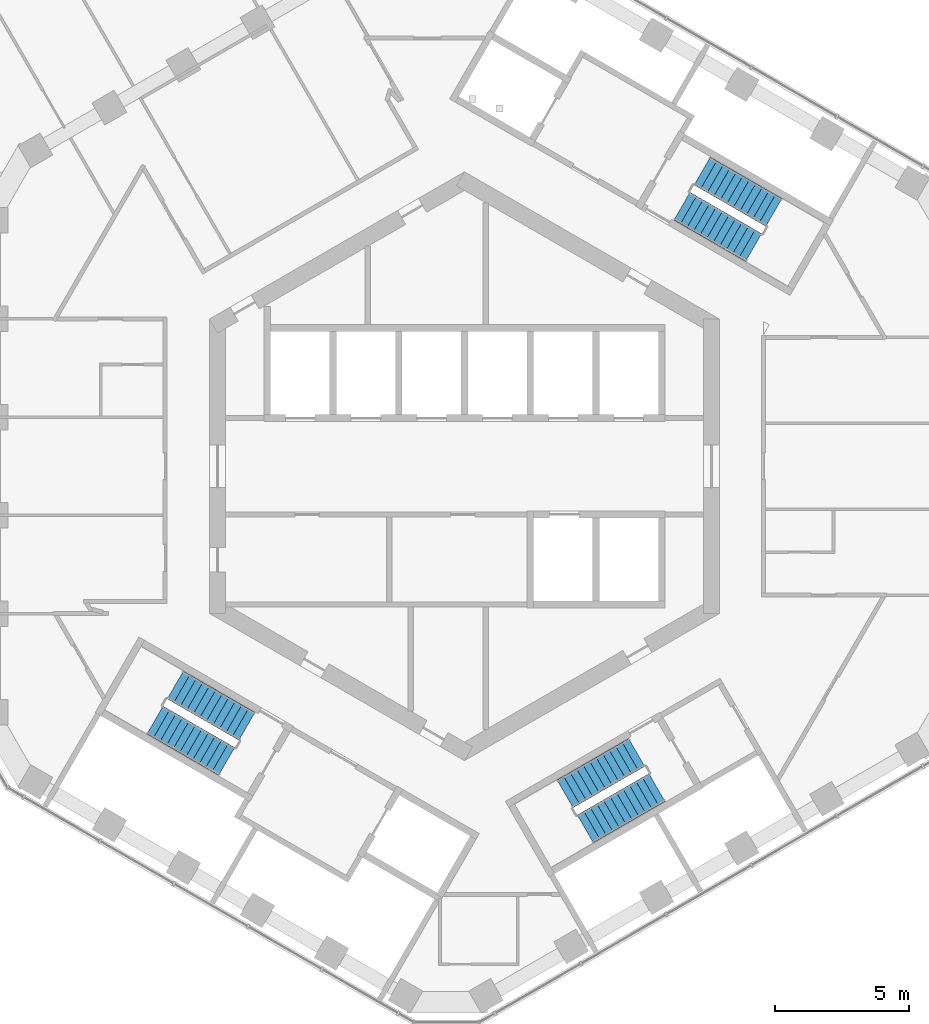
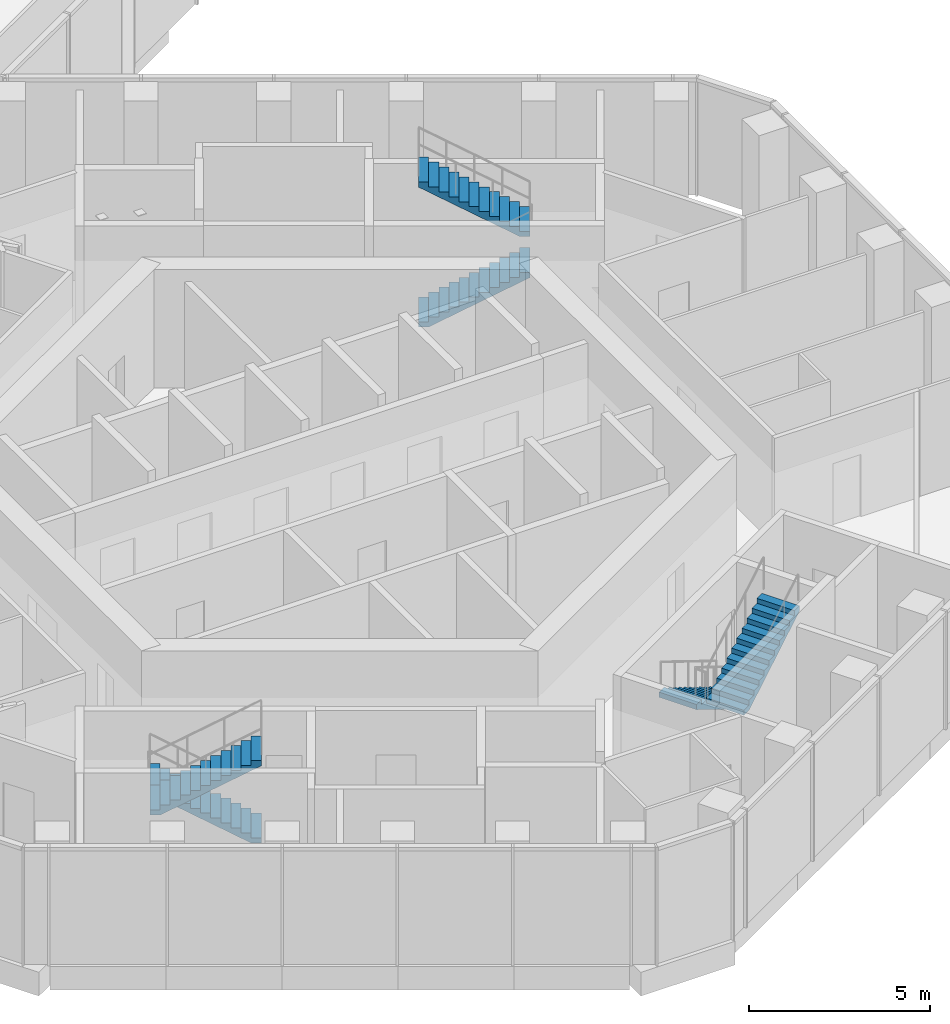
# One storey, part 19 of 21: 6 stair flights, 3 elements without a shape of their own.
"""IFC4 building model written with IfcOpenShell, lengths in metres."""

from ifc_helpers import new_model, si_unit, direction, frame, origin, place, context, subcontext, project, spatial, triangles, material, type_object, element, aggregate, save


model = new_model("IFC4")

# Units and contexts
model_context = context("Model", 3, precision=1e-05, world=origin(), true_north=direction((0.0, 1.0)))
body_context = subcontext(model_context, "Body", "Model", "MODEL_VIEW")
ifc_project = project(units=[si_unit("LENGTHUNIT", "METRE"), si_unit("AREAUNIT", "SQUARE_METRE"), si_unit("VOLUMEUNIT", "CUBIC_METRE"), si_unit("PLANEANGLEUNIT", "RADIAN"), si_unit("MASSUNIT", "GRAM", prefix="KILO")], contexts=[model_context])

# Site, building, storey
site_placement = place(None, origin())
site = spatial("IfcSite", under=ifc_project, at=site_placement, CompositionType="ELEMENT")
building_placement = place(site_placement, origin())
building = spatial("IfcBuilding", under=site, at=building_placement, Name="Ayvan Gate Tower", CompositionType="ELEMENT")
storey_placement = place(building_placement, frame((0.0, 0.0, 190.699951171875)))
storey = spatial("IfcBuildingStorey", under=building, at=storey_placement, Name="L51", CompositionType="ELEMENT", Elevation=190.699951171875)

# Stair, stair flights
ifc_material = material(Name="Concrete C40/50", Category="concrete")
stair_type = type_object("IfcStairType", Name="ST-EXIT", PredefinedType="HALF_TURN_STAIR", material=ifc_material)
stair_1_placement = place(storey_placement, origin())
stair_1 = element("IfcStair", 1, at=stair_1_placement, inside=storey, type_object=stair_type, Name="L51 Exit Stair S1", PredefinedType="HALF_TURN_STAIR")
stair_flight_type = type_object("IfcStairFlightType", Name="SFL-EXIT", PredefinedType="STRAIGHT", material=ifc_material)
stair_flight_1_placement = place(storey_placement, frame((8.106201171875, 9.690185546875, 0.0), z_axis=(0.0, 0.0, 1.0), x_axis=(0.866025403784, -0.5, 0.0)))
stair_flight_1 = element("IfcStairFlight", 2, at=stair_flight_1_placement, type_object=stair_flight_type, Name="STS1 flight 1", NumberOfRisers=12, NumberOfTreads=11, PredefinedType="STRAIGHT", RiserHeight=0.166666667, TreadLength=0.28, context=body_context, shape_type="Tessellation", body=[
    triangles([(0.293073, -0.599976, 0.0), (3.0805, -0.599976, 1.659182), (3.0805, -0.599976, 1.833333), (2.8, -0.599976, 1.833333), (2.8, -0.599976, 1.666667), (2.52, -0.599976, 1.666667), (2.52, -0.599976, 1.5), (2.24, -0.599976, 1.5), (2.24, -0.599976, 1.333333), (1.96, -0.599976, 1.333333), (1.96, -0.599976, 1.166667), (1.68, -0.599976, 1.166667), (1.68, -0.599976, 1.0), (1.4, -0.599976, 1.0), (1.4, -0.599976, 0.833333), (1.12, -0.599976, 0.833333), (1.12, -0.599976, 0.666667), (0.84, -0.599976, 0.666667), (0.84, -0.599976, 0.5), (0.56, -0.599976, 0.5), (0.56, -0.599976, 0.333333), (0.28, -0.599976, 0.333333), (0.28, -0.599976, 0.166667), (-0.0005, -0.599976, 0.166667), (-0.0005, -0.599976, 0.0), (0.293073, 0.0, 0.0), (3.0805, 0.0, 1.659182), (3.0805, 0.0, 1.833333), (2.8, 0.0, 1.833333), (2.8, 0.0, 1.666667), (2.52, 0.0, 1.666667), (2.52, 0.0, 1.5), (2.24, 0.0, 1.5), (2.24, 0.0, 1.333333), (1.96, 0.0, 1.333333), (1.96, 0.0, 1.166667), (1.68, 0.0, 1.166667), (1.68, 0.0, 1.0), (1.4, 0.0, 1.0), (1.4, 0.0, 0.833333), (1.12, 0.0, 0.833333), (1.12, 0.0, 0.666667), (0.84, 0.0, 0.666667), (0.84, 0.0, 0.5), (0.56, 0.0, 0.5), (0.56, 0.0, 0.333333), (0.28, 0.0, 0.333333), (0.28, 0.0, 0.166667), (-0.0005, 0.0, 0.166667), (-0.0005, 0.0, 0.0), (0.293073, 0.599976, 0.0), (3.0805, 0.599976, 1.659182), (3.0805, 0.599976, 1.833333), (2.8, 0.599976, 1.833333), (2.8, 0.599976, 1.666667), (2.52, 0.599976, 1.666667), (2.52, 0.599976, 1.5), (2.24, 0.599976, 1.5), (2.24, 0.599976, 1.333333), (1.96, 0.599976, 1.333333), (1.96, 0.599976, 1.166667), (1.68, 0.599976, 1.166667), (1.68, 0.599976, 1.0), (1.4, 0.599976, 1.0), (1.4, 0.599976, 0.833333), (1.12, 0.599976, 0.833333), (1.12, 0.599976, 0.666667), (0.84, 0.599976, 0.666667), (0.84, 0.599976, 0.5), (0.56, 0.599976, 0.5), (0.56, 0.599976, 0.333333), (0.28, 0.599976, 0.333333), (0.28, 0.599976, 0.166667), (-0.0005, 0.599976, 0.166667), (-0.0005, 0.599976, 0.0)], [[25, 1, 2], [75, 52, 51], [2, 3, 4], [52, 54, 53], [2, 4, 5], [52, 55, 54], [2, 5, 6], [52, 56, 55], [2, 6, 7], [52, 57, 56], [7, 8, 9], [57, 59, 58], [2, 7, 9], [52, 59, 57], [9, 10, 11], [59, 61, 60], [2, 9, 11], [52, 61, 59], [11, 12, 13], [61, 63, 62], [2, 11, 13], [52, 63, 61], [13, 14, 15], [63, 65, 64], [2, 13, 15], [52, 65, 63], [15, 16, 17], [65, 67, 66], [2, 15, 17], [52, 67, 65], [17, 18, 19], [67, 69, 68], [2, 17, 19], [52, 69, 67], [19, 20, 21], [69, 71, 70], [2, 19, 21], [52, 71, 69], [21, 22, 23], [71, 73, 72], [2, 21, 23], [52, 73, 71], [25, 2, 23], [75, 73, 52], [23, 24, 25], [73, 75, 74], [1, 26, 27], [1, 27, 2], [51, 27, 26], [51, 52, 27], [2, 27, 28], [2, 28, 3], [52, 28, 27], [52, 53, 28], [3, 28, 29], [3, 29, 4], [53, 29, 28], [53, 54, 29], [4, 29, 30], [4, 30, 5], [54, 30, 29], [54, 55, 30], [5, 30, 31], [5, 31, 6], [55, 31, 30], [55, 56, 31], [6, 31, 32], [6, 32, 7], [56, 32, 31], [56, 57, 32], [7, 32, 33], [7, 33, 8], [57, 33, 32], [57, 58, 33], [8, 33, 34], [8, 34, 9], [58, 34, 33], [58, 59, 34], [9, 34, 35], [9, 35, 10], [59, 35, 34], [59, 60, 35], [10, 35, 36], [10, 36, 11], [60, 36, 35], [60, 61, 36], [11, 36, 37], [11, 37, 12], [61, 37, 36], [61, 62, 37], [12, 37, 38], [12, 38, 13], [62, 38, 37], [62, 63, 38], [13, 38, 39], [13, 39, 14], [63, 39, 38], [63, 64, 39], [14, 39, 40], [14, 40, 15], [64, 40, 39], [64, 65, 40], [15, 40, 41], [15, 41, 16], [65, 41, 40], [65, 66, 41], [16, 41, 42], [16, 42, 17], [66, 42, 41], [66, 67, 42], [17, 42, 43], [17, 43, 18], [67, 43, 42], [67, 68, 43], [18, 43, 44], [18, 44, 19], [68, 44, 43], [68, 69, 44], [19, 44, 45], [19, 45, 20], [69, 45, 44], [69, 70, 45], [20, 45, 46], [20, 46, 21], [70, 46, 45], [70, 71, 46], [21, 46, 47], [21, 47, 22], [71, 47, 46], [71, 72, 47], [22, 47, 48], [22, 48, 23], [72, 48, 47], [72, 73, 48], [23, 48, 49], [23, 49, 24], [73, 49, 48], [73, 74, 49], [24, 49, 50], [24, 50, 25], [74, 50, 49], [74, 75, 50], [25, 50, 26], [25, 26, 1], [75, 26, 50], [75, 51, 26]], closed=True),
])
stair_flight_2_placement = place(storey_placement, frame((11.528564453125, 9.457763671875, 2.0), z_axis=(0.0, 0.0, 1.0), x_axis=(-0.866025403784, 0.5, 0.0)))
stair_flight_2 = element("IfcStairFlight", 3, at=stair_flight_2_placement, type_object=stair_flight_type, Name="STS1 flight 2", NumberOfRisers=12, NumberOfTreads=11, PredefinedType="STRAIGHT", RiserHeight=0.166666667, TreadLength=0.28, context=body_context, shape_type="Tessellation", body=[
    triangles([(0.293073, -0.599976, 0.0), (3.0805, -0.599976, 1.659182), (3.0805, -0.599976, 1.833333), (2.8, -0.599976, 1.833333), (2.8, -0.599976, 1.666667), (2.52, -0.599976, 1.666667), (2.52, -0.599976, 1.5), (2.24, -0.599976, 1.5), (2.24, -0.599976, 1.333333), (1.96, -0.599976, 1.333333), (1.96, -0.599976, 1.166667), (1.68, -0.599976, 1.166667), (1.68, -0.599976, 1.0), (1.4, -0.599976, 1.0), (1.4, -0.599976, 0.833333), (1.12, -0.599976, 0.833333), (1.12, -0.599976, 0.666667), (0.84, -0.599976, 0.666667), (0.84, -0.599976, 0.5), (0.56, -0.599976, 0.5), (0.56, -0.599976, 0.333333), (0.28, -0.599976, 0.333333), (0.28, -0.599976, 0.166667), (-0.0005, -0.599976, 0.166667), (-0.0005, -0.599976, 0.0), (0.293073, 0.0, 0.0), (3.0805, 0.0, 1.659182), (3.0805, 0.0, 1.833333), (2.8, 0.0, 1.833333), (2.8, 0.0, 1.666667), (2.52, 0.0, 1.666667), (2.52, 0.0, 1.5), (2.24, 0.0, 1.5), (2.24, 0.0, 1.333333), (1.96, 0.0, 1.333333), (1.96, 0.0, 1.166667), (1.68, 0.0, 1.166667), (1.68, 0.0, 1.0), (1.4, 0.0, 1.0), (1.4, 0.0, 0.833333), (1.12, 0.0, 0.833333), (1.12, 0.0, 0.666667), (0.84, 0.0, 0.666667), (0.84, 0.0, 0.5), (0.56, 0.0, 0.5), (0.56, 0.0, 0.333333), (0.28, 0.0, 0.333333), (0.28, 0.0, 0.166667), (-0.0005, 0.0, 0.166667), (-0.0005, 0.0, 0.0), (0.293073, 0.599976, 0.0), (3.0805, 0.599976, 1.659182), (3.0805, 0.599976, 1.833333), (2.8, 0.599976, 1.833333), (2.8, 0.599976, 1.666667), (2.52, 0.599976, 1.666667), (2.52, 0.599976, 1.5), (2.24, 0.599976, 1.5), (2.24, 0.599976, 1.333333), (1.96, 0.599976, 1.333333), (1.96, 0.599976, 1.166667), (1.68, 0.599976, 1.166667), (1.68, 0.599976, 1.0), (1.4, 0.599976, 1.0), (1.4, 0.599976, 0.833333), (1.12, 0.599976, 0.833333), (1.12, 0.599976, 0.666667), (0.84, 0.599976, 0.666667), (0.84, 0.599976, 0.5), (0.56, 0.599976, 0.5), (0.56, 0.599976, 0.333333), (0.28, 0.599976, 0.333333), (0.28, 0.599976, 0.166667), (-0.0005, 0.599976, 0.166667), (-0.0005, 0.599976, 0.0)], [[25, 1, 2], [75, 52, 51], [2, 3, 4], [52, 54, 53], [2, 4, 5], [52, 55, 54], [2, 5, 6], [52, 56, 55], [2, 6, 7], [52, 57, 56], [7, 8, 9], [57, 59, 58], [2, 7, 9], [52, 59, 57], [9, 10, 11], [59, 61, 60], [2, 9, 11], [52, 61, 59], [11, 12, 13], [61, 63, 62], [2, 11, 13], [52, 63, 61], [13, 14, 15], [63, 65, 64], [2, 13, 15], [52, 65, 63], [15, 16, 17], [65, 67, 66], [2, 15, 17], [52, 67, 65], [17, 18, 19], [67, 69, 68], [2, 17, 19], [52, 69, 67], [19, 20, 21], [69, 71, 70], [2, 19, 21], [52, 71, 69], [21, 22, 23], [71, 73, 72], [2, 21, 23], [52, 73, 71], [25, 2, 23], [75, 73, 52], [23, 24, 25], [73, 75, 74], [1, 26, 27], [1, 27, 2], [51, 27, 26], [51, 52, 27], [2, 27, 28], [2, 28, 3], [52, 28, 27], [52, 53, 28], [3, 28, 29], [3, 29, 4], [53, 29, 28], [53, 54, 29], [4, 29, 30], [4, 30, 5], [54, 30, 29], [54, 55, 30], [5, 30, 31], [5, 31, 6], [55, 31, 30], [55, 56, 31], [6, 31, 32], [6, 32, 7], [56, 32, 31], [56, 57, 32], [7, 32, 33], [7, 33, 8], [57, 33, 32], [57, 58, 33], [8, 33, 34], [8, 34, 9], [58, 34, 33], [58, 59, 34], [9, 34, 35], [9, 35, 10], [59, 35, 34], [59, 60, 35], [10, 35, 36], [10, 36, 11], [60, 36, 35], [60, 61, 36], [11, 36, 37], [11, 37, 12], [61, 37, 36], [61, 62, 37], [12, 37, 38], [12, 38, 13], [62, 38, 37], [62, 63, 38], [13, 38, 39], [13, 39, 14], [63, 39, 38], [63, 64, 39], [14, 39, 40], [14, 40, 15], [64, 40, 39], [64, 65, 40], [15, 40, 41], [15, 41, 16], [65, 41, 40], [65, 66, 41], [16, 41, 42], [16, 42, 17], [66, 42, 41], [66, 67, 42], [17, 42, 43], [17, 43, 18], [67, 43, 42], [67, 68, 43], [18, 43, 44], [18, 44, 19], [68, 44, 43], [68, 69, 44], [19, 44, 45], [19, 45, 20], [69, 45, 44], [69, 70, 45], [20, 45, 46], [20, 46, 21], [70, 46, 45], [70, 71, 46], [21, 46, 47], [21, 47, 22], [71, 47, 46], [71, 72, 47], [22, 47, 48], [22, 48, 23], [72, 48, 47], [72, 73, 48], [23, 48, 49], [23, 49, 24], [73, 49, 48], [73, 74, 49], [24, 49, 50], [24, 50, 25], [74, 50, 49], [74, 75, 50], [25, 50, 26], [25, 26, 1], [75, 26, 50], [75, 51, 26]], closed=True),
])
aggregate(stair_1, [stair_flight_1, stair_flight_2])

stair_2_placement = place(storey_placement, origin())
stair_2 = element("IfcStair", 4, at=stair_2_placement, inside=storey, type_object=stair_type, Name="L51 Exit Stair S2", PredefinedType="HALF_TURN_STAIR")
stair_flight_3_placement = place(storey_placement, frame((-8.106201171875, -9.690185546875, 0.0), z_axis=(0.0, 0.0, 1.0), x_axis=(-0.866025403784, 0.5, 0.0)))
stair_flight_3 = element("IfcStairFlight", 5, at=stair_flight_3_placement, type_object=stair_flight_type, Name="STS2 flight 1", NumberOfRisers=12, NumberOfTreads=11, PredefinedType="STRAIGHT", RiserHeight=0.166666667, TreadLength=0.28, context=body_context, shape_type="Tessellation", body=[
    triangles([(0.293073, -0.599976, 0.0), (3.0805, -0.599976, 1.659182), (3.0805, -0.599976, 1.833333), (2.8, -0.599976, 1.833333), (2.8, -0.599976, 1.666667), (2.52, -0.599976, 1.666667), (2.52, -0.599976, 1.5), (2.24, -0.599976, 1.5), (2.24, -0.599976, 1.333333), (1.96, -0.599976, 1.333333), (1.96, -0.599976, 1.166667), (1.68, -0.599976, 1.166667), (1.68, -0.599976, 1.0), (1.4, -0.599976, 1.0), (1.4, -0.599976, 0.833333), (1.12, -0.599976, 0.833333), (1.12, -0.599976, 0.666667), (0.84, -0.599976, 0.666667), (0.84, -0.599976, 0.5), (0.56, -0.599976, 0.5), (0.56, -0.599976, 0.333333), (0.28, -0.599976, 0.333333), (0.28, -0.599976, 0.166667), (-0.0005, -0.599976, 0.166667), (-0.0005, -0.599976, 0.0), (0.293073, 0.0, 0.0), (3.0805, 0.0, 1.659182), (3.0805, 0.0, 1.833333), (2.8, 0.0, 1.833333), (2.8, 0.0, 1.666667), (2.52, 0.0, 1.666667), (2.52, 0.0, 1.5), (2.24, 0.0, 1.5), (2.24, 0.0, 1.333333), (1.96, 0.0, 1.333333), (1.96, 0.0, 1.166667), (1.68, 0.0, 1.166667), (1.68, 0.0, 1.0), (1.4, 0.0, 1.0), (1.4, 0.0, 0.833333), (1.12, 0.0, 0.833333), (1.12, 0.0, 0.666667), (0.84, 0.0, 0.666667), (0.84, 0.0, 0.5), (0.56, 0.0, 0.5), (0.56, 0.0, 0.333333), (0.28, 0.0, 0.333333), (0.28, 0.0, 0.166667), (-0.0005, 0.0, 0.166667), (-0.0005, 0.0, 0.0), (0.293073, 0.599976, 0.0), (3.0805, 0.599976, 1.659182), (3.0805, 0.599976, 1.833333), (2.8, 0.599976, 1.833333), (2.8, 0.599976, 1.666667), (2.52, 0.599976, 1.666667), (2.52, 0.599976, 1.5), (2.24, 0.599976, 1.5), (2.24, 0.599976, 1.333333), (1.96, 0.599976, 1.333333), (1.96, 0.599976, 1.166667), (1.68, 0.599976, 1.166667), (1.68, 0.599976, 1.0), (1.4, 0.599976, 1.0), (1.4, 0.599976, 0.833333), (1.12, 0.599976, 0.833333), (1.12, 0.599976, 0.666667), (0.84, 0.599976, 0.666667), (0.84, 0.599976, 0.5), (0.56, 0.599976, 0.5), (0.56, 0.599976, 0.333333), (0.28, 0.599976, 0.333333), (0.28, 0.599976, 0.166667), (-0.0005, 0.599976, 0.166667), (-0.0005, 0.599976, 0.0)], [[25, 1, 2], [75, 52, 51], [2, 3, 4], [52, 54, 53], [2, 4, 5], [52, 55, 54], [2, 5, 6], [52, 56, 55], [2, 6, 7], [52, 57, 56], [7, 8, 9], [57, 59, 58], [2, 7, 9], [52, 59, 57], [9, 10, 11], [59, 61, 60], [2, 9, 11], [52, 61, 59], [11, 12, 13], [61, 63, 62], [2, 11, 13], [52, 63, 61], [13, 14, 15], [63, 65, 64], [2, 13, 15], [52, 65, 63], [15, 16, 17], [65, 67, 66], [2, 15, 17], [52, 67, 65], [17, 18, 19], [67, 69, 68], [2, 17, 19], [52, 69, 67], [19, 20, 21], [69, 71, 70], [2, 19, 21], [52, 71, 69], [21, 22, 23], [71, 73, 72], [2, 21, 23], [52, 73, 71], [25, 2, 23], [75, 73, 52], [23, 24, 25], [73, 75, 74], [1, 26, 27], [1, 27, 2], [51, 27, 26], [51, 52, 27], [2, 27, 28], [2, 28, 3], [52, 28, 27], [52, 53, 28], [3, 28, 29], [3, 29, 4], [53, 29, 28], [53, 54, 29], [4, 29, 30], [4, 30, 5], [54, 30, 29], [54, 55, 30], [5, 30, 31], [5, 31, 6], [55, 31, 30], [55, 56, 31], [6, 31, 32], [6, 32, 7], [56, 32, 31], [56, 57, 32], [7, 32, 33], [7, 33, 8], [57, 33, 32], [57, 58, 33], [8, 33, 34], [8, 34, 9], [58, 34, 33], [58, 59, 34], [9, 34, 35], [9, 35, 10], [59, 35, 34], [59, 60, 35], [10, 35, 36], [10, 36, 11], [60, 36, 35], [60, 61, 36], [11, 36, 37], [11, 37, 12], [61, 37, 36], [61, 62, 37], [12, 37, 38], [12, 38, 13], [62, 38, 37], [62, 63, 38], [13, 38, 39], [13, 39, 14], [63, 39, 38], [63, 64, 39], [14, 39, 40], [14, 40, 15], [64, 40, 39], [64, 65, 40], [15, 40, 41], [15, 41, 16], [65, 41, 40], [65, 66, 41], [16, 41, 42], [16, 42, 17], [66, 42, 41], [66, 67, 42], [17, 42, 43], [17, 43, 18], [67, 43, 42], [67, 68, 43], [18, 43, 44], [18, 44, 19], [68, 44, 43], [68, 69, 44], [19, 44, 45], [19, 45, 20], [69, 45, 44], [69, 70, 45], [20, 45, 46], [20, 46, 21], [70, 46, 45], [70, 71, 46], [21, 46, 47], [21, 47, 22], [71, 47, 46], [71, 72, 47], [22, 47, 48], [22, 48, 23], [72, 48, 47], [72, 73, 48], [23, 48, 49], [23, 49, 24], [73, 49, 48], [73, 74, 49], [24, 49, 50], [24, 50, 25], [74, 50, 49], [74, 75, 50], [25, 50, 26], [25, 26, 1], [75, 26, 50], [75, 51, 26]], closed=True),
])
stair_flight_4_placement = place(storey_placement, frame((-11.528564453125, -9.457763671875, 2.0), z_axis=(0.0, 0.0, 1.0), x_axis=(0.866025403784, -0.5, 0.0)))
stair_flight_4 = element("IfcStairFlight", 6, at=stair_flight_4_placement, type_object=stair_flight_type, Name="STS2 flight 2", NumberOfRisers=12, NumberOfTreads=11, PredefinedType="STRAIGHT", RiserHeight=0.166666667, TreadLength=0.28, context=body_context, shape_type="Tessellation", body=[
    triangles([(0.293073, -0.599976, 0.0), (3.0805, -0.599976, 1.659182), (3.0805, -0.599976, 1.833333), (2.8, -0.599976, 1.833333), (2.8, -0.599976, 1.666667), (2.52, -0.599976, 1.666667), (2.52, -0.599976, 1.5), (2.24, -0.599976, 1.5), (2.24, -0.599976, 1.333333), (1.96, -0.599976, 1.333333), (1.96, -0.599976, 1.166667), (1.68, -0.599976, 1.166667), (1.68, -0.599976, 1.0), (1.4, -0.599976, 1.0), (1.4, -0.599976, 0.833333), (1.12, -0.599976, 0.833333), (1.12, -0.599976, 0.666667), (0.84, -0.599976, 0.666667), (0.84, -0.599976, 0.5), (0.56, -0.599976, 0.5), (0.56, -0.599976, 0.333333), (0.28, -0.599976, 0.333333), (0.28, -0.599976, 0.166667), (-0.0005, -0.599976, 0.166667), (-0.0005, -0.599976, 0.0), (0.293073, 0.0, 0.0), (3.0805, 0.0, 1.659182), (3.0805, 0.0, 1.833333), (2.8, 0.0, 1.833333), (2.8, 0.0, 1.666667), (2.52, 0.0, 1.666667), (2.52, 0.0, 1.5), (2.24, 0.0, 1.5), (2.24, 0.0, 1.333333), (1.96, 0.0, 1.333333), (1.96, 0.0, 1.166667), (1.68, 0.0, 1.166667), (1.68, 0.0, 1.0), (1.4, 0.0, 1.0), (1.4, 0.0, 0.833333), (1.12, 0.0, 0.833333), (1.12, 0.0, 0.666667), (0.84, 0.0, 0.666667), (0.84, 0.0, 0.5), (0.56, 0.0, 0.5), (0.56, 0.0, 0.333333), (0.28, 0.0, 0.333333), (0.28, 0.0, 0.166667), (-0.0005, 0.0, 0.166667), (-0.0005, 0.0, 0.0), (0.293073, 0.599976, 0.0), (3.0805, 0.599976, 1.659182), (3.0805, 0.599976, 1.833333), (2.8, 0.599976, 1.833333), (2.8, 0.599976, 1.666667), (2.52, 0.599976, 1.666667), (2.52, 0.599976, 1.5), (2.24, 0.599976, 1.5), (2.24, 0.599976, 1.333333), (1.96, 0.599976, 1.333333), (1.96, 0.599976, 1.166667), (1.68, 0.599976, 1.166667), (1.68, 0.599976, 1.0), (1.4, 0.599976, 1.0), (1.4, 0.599976, 0.833333), (1.12, 0.599976, 0.833333), (1.12, 0.599976, 0.666667), (0.84, 0.599976, 0.666667), (0.84, 0.599976, 0.5), (0.56, 0.599976, 0.5), (0.56, 0.599976, 0.333333), (0.28, 0.599976, 0.333333), (0.28, 0.599976, 0.166667), (-0.0005, 0.599976, 0.166667), (-0.0005, 0.599976, 0.0)], [[25, 1, 2], [75, 52, 51], [2, 3, 4], [52, 54, 53], [2, 4, 5], [52, 55, 54], [2, 5, 6], [52, 56, 55], [2, 6, 7], [52, 57, 56], [7, 8, 9], [57, 59, 58], [2, 7, 9], [52, 59, 57], [9, 10, 11], [59, 61, 60], [2, 9, 11], [52, 61, 59], [11, 12, 13], [61, 63, 62], [2, 11, 13], [52, 63, 61], [13, 14, 15], [63, 65, 64], [2, 13, 15], [52, 65, 63], [15, 16, 17], [65, 67, 66], [2, 15, 17], [52, 67, 65], [17, 18, 19], [67, 69, 68], [2, 17, 19], [52, 69, 67], [19, 20, 21], [69, 71, 70], [2, 19, 21], [52, 71, 69], [21, 22, 23], [71, 73, 72], [2, 21, 23], [52, 73, 71], [25, 2, 23], [75, 73, 52], [23, 24, 25], [73, 75, 74], [1, 26, 27], [1, 27, 2], [51, 27, 26], [51, 52, 27], [2, 27, 28], [2, 28, 3], [52, 28, 27], [52, 53, 28], [3, 28, 29], [3, 29, 4], [53, 29, 28], [53, 54, 29], [4, 29, 30], [4, 30, 5], [54, 30, 29], [54, 55, 30], [5, 30, 31], [5, 31, 6], [55, 31, 30], [55, 56, 31], [6, 31, 32], [6, 32, 7], [56, 32, 31], [56, 57, 32], [7, 32, 33], [7, 33, 8], [57, 33, 32], [57, 58, 33], [8, 33, 34], [8, 34, 9], [58, 34, 33], [58, 59, 34], [9, 34, 35], [9, 35, 10], [59, 35, 34], [59, 60, 35], [10, 35, 36], [10, 36, 11], [60, 36, 35], [60, 61, 36], [11, 36, 37], [11, 37, 12], [61, 37, 36], [61, 62, 37], [12, 37, 38], [12, 38, 13], [62, 38, 37], [62, 63, 38], [13, 38, 39], [13, 39, 14], [63, 39, 38], [63, 64, 39], [14, 39, 40], [14, 40, 15], [64, 40, 39], [64, 65, 40], [15, 40, 41], [15, 41, 16], [65, 41, 40], [65, 66, 41], [16, 41, 42], [16, 42, 17], [66, 42, 41], [66, 67, 42], [17, 42, 43], [17, 43, 18], [67, 43, 42], [67, 68, 43], [18, 43, 44], [18, 44, 19], [68, 44, 43], [68, 69, 44], [19, 44, 45], [19, 45, 20], [69, 45, 44], [69, 70, 45], [20, 45, 46], [20, 46, 21], [70, 46, 45], [70, 71, 46], [21, 46, 47], [21, 47, 22], [71, 47, 46], [71, 72, 47], [22, 47, 48], [22, 48, 23], [72, 48, 47], [72, 73, 48], [23, 48, 49], [23, 49, 24], [73, 49, 48], [73, 74, 49], [24, 49, 50], [24, 50, 25], [74, 50, 49], [74, 75, 50], [25, 50, 26], [25, 26, 1], [75, 26, 50], [75, 51, 26]], closed=True),
])
aggregate(stair_2, [stair_flight_3, stair_flight_4])

stair_3_placement = place(storey_placement, origin())
stair_3 = element("IfcStair", 7, at=stair_3_placement, inside=storey, type_object=stair_type, Name="L51 Exit Stair S3", PredefinedType="HALF_TURN_STAIR")
stair_flight_5_placement = place(storey_placement, frame((6.417236328125, -10.665283203125, 0.0), z_axis=(0.0, 0.0, 1.0), x_axis=(-0.866025403784, -0.5, 0.0)))
stair_flight_5 = element("IfcStairFlight", 8, at=stair_flight_5_placement, type_object=stair_flight_type, Name="STS3 flight 1", NumberOfRisers=12, NumberOfTreads=11, PredefinedType="STRAIGHT", RiserHeight=0.166666667, TreadLength=0.28, context=body_context, shape_type="Tessellation", body=[
    triangles([(0.293073, -0.599976, 0.0), (3.0805, -0.599976, 1.659182), (3.0805, -0.599976, 1.833333), (2.8, -0.599976, 1.833333), (2.8, -0.599976, 1.666667), (2.52, -0.599976, 1.666667), (2.52, -0.599976, 1.5), (2.24, -0.599976, 1.5), (2.24, -0.599976, 1.333333), (1.96, -0.599976, 1.333333), (1.96, -0.599976, 1.166667), (1.68, -0.599976, 1.166667), (1.68, -0.599976, 1.0), (1.4, -0.599976, 1.0), (1.4, -0.599976, 0.833333), (1.12, -0.599976, 0.833333), (1.12, -0.599976, 0.666667), (0.84, -0.599976, 0.666667), (0.84, -0.599976, 0.5), (0.56, -0.599976, 0.5), (0.56, -0.599976, 0.333333), (0.28, -0.599976, 0.333333), (0.28, -0.599976, 0.166667), (-0.0005, -0.599976, 0.166667), (-0.0005, -0.599976, 0.0), (0.293073, 0.0, 0.0), (3.0805, 0.0, 1.659182), (3.0805, 0.0, 1.833333), (2.8, 0.0, 1.833333), (2.8, 0.0, 1.666667), (2.52, 0.0, 1.666667), (2.52, 0.0, 1.5), (2.24, 0.0, 1.5), (2.24, 0.0, 1.333333), (1.96, 0.0, 1.333333), (1.96, 0.0, 1.166667), (1.68, 0.0, 1.166667), (1.68, 0.0, 1.0), (1.4, 0.0, 1.0), (1.4, 0.0, 0.833333), (1.12, 0.0, 0.833333), (1.12, 0.0, 0.666667), (0.84, 0.0, 0.666667), (0.84, 0.0, 0.5), (0.56, 0.0, 0.5), (0.56, 0.0, 0.333333), (0.28, 0.0, 0.333333), (0.28, 0.0, 0.166667), (-0.0005, 0.0, 0.166667), (-0.0005, 0.0, 0.0), (0.293073, 0.599976, 0.0), (3.0805, 0.599976, 1.659182), (3.0805, 0.599976, 1.833333), (2.8, 0.599976, 1.833333), (2.8, 0.599976, 1.666667), (2.52, 0.599976, 1.666667), (2.52, 0.599976, 1.5), (2.24, 0.599976, 1.5), (2.24, 0.599976, 1.333333), (1.96, 0.599976, 1.333333), (1.96, 0.599976, 1.166667), (1.68, 0.599976, 1.166667), (1.68, 0.599976, 1.0), (1.4, 0.599976, 1.0), (1.4, 0.599976, 0.833333), (1.12, 0.599976, 0.833333), (1.12, 0.599976, 0.666667), (0.84, 0.599976, 0.666667), (0.84, 0.599976, 0.5), (0.56, 0.599976, 0.5), (0.56, 0.599976, 0.333333), (0.28, 0.599976, 0.333333), (0.28, 0.599976, 0.166667), (-0.0005, 0.599976, 0.166667), (-0.0005, 0.599976, 0.0)], [[25, 1, 2], [75, 52, 51], [2, 3, 4], [52, 54, 53], [2, 4, 5], [52, 55, 54], [2, 5, 6], [52, 56, 55], [2, 6, 7], [52, 57, 56], [7, 8, 9], [57, 59, 58], [2, 7, 9], [52, 59, 57], [9, 10, 11], [59, 61, 60], [2, 9, 11], [52, 61, 59], [11, 12, 13], [61, 63, 62], [2, 11, 13], [52, 63, 61], [13, 14, 15], [63, 65, 64], [2, 13, 15], [52, 65, 63], [15, 16, 17], [65, 67, 66], [2, 15, 17], [52, 67, 65], [17, 18, 19], [67, 69, 68], [2, 17, 19], [52, 69, 67], [19, 20, 21], [69, 71, 70], [2, 19, 21], [52, 71, 69], [21, 22, 23], [71, 73, 72], [2, 21, 23], [52, 73, 71], [25, 2, 23], [75, 73, 52], [23, 24, 25], [73, 75, 74], [1, 26, 27], [1, 27, 2], [51, 27, 26], [51, 52, 27], [2, 27, 28], [2, 28, 3], [52, 28, 27], [52, 53, 28], [3, 28, 29], [3, 29, 4], [53, 29, 28], [53, 54, 29], [4, 29, 30], [4, 30, 5], [54, 30, 29], [54, 55, 30], [5, 30, 31], [5, 31, 6], [55, 31, 30], [55, 56, 31], [6, 31, 32], [6, 32, 7], [56, 32, 31], [56, 57, 32], [7, 32, 33], [7, 33, 8], [57, 33, 32], [57, 58, 33], [8, 33, 34], [8, 34, 9], [58, 34, 33], [58, 59, 34], [9, 34, 35], [9, 35, 10], [59, 35, 34], [59, 60, 35], [10, 35, 36], [10, 36, 11], [60, 36, 35], [60, 61, 36], [11, 36, 37], [11, 37, 12], [61, 37, 36], [61, 62, 37], [12, 37, 38], [12, 38, 13], [62, 38, 37], [62, 63, 38], [13, 38, 39], [13, 39, 14], [63, 39, 38], [63, 64, 39], [14, 39, 40], [14, 40, 15], [64, 40, 39], [64, 65, 40], [15, 40, 41], [15, 41, 16], [65, 41, 40], [65, 66, 41], [16, 41, 42], [16, 42, 17], [66, 42, 41], [66, 67, 42], [17, 42, 43], [17, 43, 18], [67, 43, 42], [67, 68, 43], [18, 43, 44], [18, 44, 19], [68, 44, 43], [68, 69, 44], [19, 44, 45], [19, 45, 20], [69, 45, 44], [69, 70, 45], [20, 45, 46], [20, 46, 21], [70, 46, 45], [70, 71, 46], [21, 46, 47], [21, 47, 22], [71, 47, 46], [71, 72, 47], [22, 47, 48], [22, 48, 23], [72, 48, 47], [72, 73, 48], [23, 48, 49], [23, 49, 24], [73, 49, 48], [73, 74, 49], [24, 49, 50], [24, 50, 25], [74, 50, 49], [74, 75, 50], [25, 50, 26], [25, 26, 1], [75, 26, 50], [75, 51, 26]], closed=True),
])
stair_flight_6_placement = place(storey_placement, frame((4.5048828125, -13.512939453125, 2.0), z_axis=(0.0, 0.0, 1.0), x_axis=(0.866025403784, 0.5, 0.0)))
stair_flight_6 = element("IfcStairFlight", 9, at=stair_flight_6_placement, type_object=stair_flight_type, Name="STS3 flight 2", NumberOfRisers=12, NumberOfTreads=11, PredefinedType="STRAIGHT", RiserHeight=0.166666667, TreadLength=0.28, context=body_context, shape_type="Tessellation", body=[
    triangles([(0.293073, -0.599976, 0.0), (3.0805, -0.599976, 1.659182), (3.0805, -0.599976, 1.833333), (2.8, -0.599976, 1.833333), (2.8, -0.599976, 1.666667), (2.52, -0.599976, 1.666667), (2.52, -0.599976, 1.5), (2.24, -0.599976, 1.5), (2.24, -0.599976, 1.333333), (1.96, -0.599976, 1.333333), (1.96, -0.599976, 1.166667), (1.68, -0.599976, 1.166667), (1.68, -0.599976, 1.0), (1.4, -0.599976, 1.0), (1.4, -0.599976, 0.833333), (1.12, -0.599976, 0.833333), (1.12, -0.599976, 0.666667), (0.84, -0.599976, 0.666667), (0.84, -0.599976, 0.5), (0.56, -0.599976, 0.5), (0.56, -0.599976, 0.333333), (0.28, -0.599976, 0.333333), (0.28, -0.599976, 0.166667), (-0.0005, -0.599976, 0.166667), (-0.0005, -0.599976, 0.0), (0.293073, 0.0, 0.0), (3.0805, 0.0, 1.659182), (3.0805, 0.0, 1.833333), (2.8, 0.0, 1.833333), (2.8, 0.0, 1.666667), (2.52, 0.0, 1.666667), (2.52, 0.0, 1.5), (2.24, 0.0, 1.5), (2.24, 0.0, 1.333333), (1.96, 0.0, 1.333333), (1.96, 0.0, 1.166667), (1.68, 0.0, 1.166667), (1.68, 0.0, 1.0), (1.4, 0.0, 1.0), (1.4, 0.0, 0.833333), (1.12, 0.0, 0.833333), (1.12, 0.0, 0.666667), (0.84, 0.0, 0.666667), (0.84, 0.0, 0.5), (0.56, 0.0, 0.5), (0.56, 0.0, 0.333333), (0.28, 0.0, 0.333333), (0.28, 0.0, 0.166667), (-0.0005, 0.0, 0.166667), (-0.0005, 0.0, 0.0), (0.293073, 0.599976, 0.0), (3.0805, 0.599976, 1.659182), (3.0805, 0.599976, 1.833333), (2.8, 0.599976, 1.833333), (2.8, 0.599976, 1.666667), (2.52, 0.599976, 1.666667), (2.52, 0.599976, 1.5), (2.24, 0.599976, 1.5), (2.24, 0.599976, 1.333333), (1.96, 0.599976, 1.333333), (1.96, 0.599976, 1.166667), (1.68, 0.599976, 1.166667), (1.68, 0.599976, 1.0), (1.4, 0.599976, 1.0), (1.4, 0.599976, 0.833333), (1.12, 0.599976, 0.833333), (1.12, 0.599976, 0.666667), (0.84, 0.599976, 0.666667), (0.84, 0.599976, 0.5), (0.56, 0.599976, 0.5), (0.56, 0.599976, 0.333333), (0.28, 0.599976, 0.333333), (0.28, 0.599976, 0.166667), (-0.0005, 0.599976, 0.166667), (-0.0005, 0.599976, 0.0)], [[25, 1, 2], [75, 52, 51], [2, 3, 4], [52, 54, 53], [2, 4, 5], [52, 55, 54], [2, 5, 6], [52, 56, 55], [2, 6, 7], [52, 57, 56], [7, 8, 9], [57, 59, 58], [2, 7, 9], [52, 59, 57], [9, 10, 11], [59, 61, 60], [2, 9, 11], [52, 61, 59], [11, 12, 13], [61, 63, 62], [2, 11, 13], [52, 63, 61], [13, 14, 15], [63, 65, 64], [2, 13, 15], [52, 65, 63], [15, 16, 17], [65, 67, 66], [2, 15, 17], [52, 67, 65], [17, 18, 19], [67, 69, 68], [2, 17, 19], [52, 69, 67], [19, 20, 21], [69, 71, 70], [2, 19, 21], [52, 71, 69], [21, 22, 23], [71, 73, 72], [2, 21, 23], [52, 73, 71], [25, 2, 23], [75, 73, 52], [23, 24, 25], [73, 75, 74], [1, 26, 27], [1, 27, 2], [51, 27, 26], [51, 52, 27], [2, 27, 28], [2, 28, 3], [52, 28, 27], [52, 53, 28], [3, 28, 29], [3, 29, 4], [53, 29, 28], [53, 54, 29], [4, 29, 30], [4, 30, 5], [54, 30, 29], [54, 55, 30], [5, 30, 31], [5, 31, 6], [55, 31, 30], [55, 56, 31], [6, 31, 32], [6, 32, 7], [56, 32, 31], [56, 57, 32], [7, 32, 33], [7, 33, 8], [57, 33, 32], [57, 58, 33], [8, 33, 34], [8, 34, 9], [58, 34, 33], [58, 59, 34], [9, 34, 35], [9, 35, 10], [59, 35, 34], [59, 60, 35], [10, 35, 36], [10, 36, 11], [60, 36, 35], [60, 61, 36], [11, 36, 37], [11, 37, 12], [61, 37, 36], [61, 62, 37], [12, 37, 38], [12, 38, 13], [62, 38, 37], [62, 63, 38], [13, 38, 39], [13, 39, 14], [63, 39, 38], [63, 64, 39], [14, 39, 40], [14, 40, 15], [64, 40, 39], [64, 65, 40], [15, 40, 41], [15, 41, 16], [65, 41, 40], [65, 66, 41], [16, 41, 42], [16, 42, 17], [66, 42, 41], [66, 67, 42], [17, 42, 43], [17, 43, 18], [67, 43, 42], [67, 68, 43], [18, 43, 44], [18, 44, 19], [68, 44, 43], [68, 69, 44], [19, 44, 45], [19, 45, 20], [69, 45, 44], [69, 70, 45], [20, 45, 46], [20, 46, 21], [70, 46, 45], [70, 71, 46], [21, 46, 47], [21, 47, 22], [71, 47, 46], [71, 72, 47], [22, 47, 48], [22, 48, 23], [72, 48, 47], [72, 73, 48], [23, 48, 49], [23, 49, 24], [73, 49, 48], [73, 74, 49], [24, 49, 50], [24, 50, 25], [74, 50, 49], [74, 75, 50], [25, 50, 26], [25, 26, 1], [75, 26, 50], [75, 51, 26]], closed=True),
])
aggregate(stair_3, [stair_flight_5, stair_flight_6])

save(model, "model.ifc")
